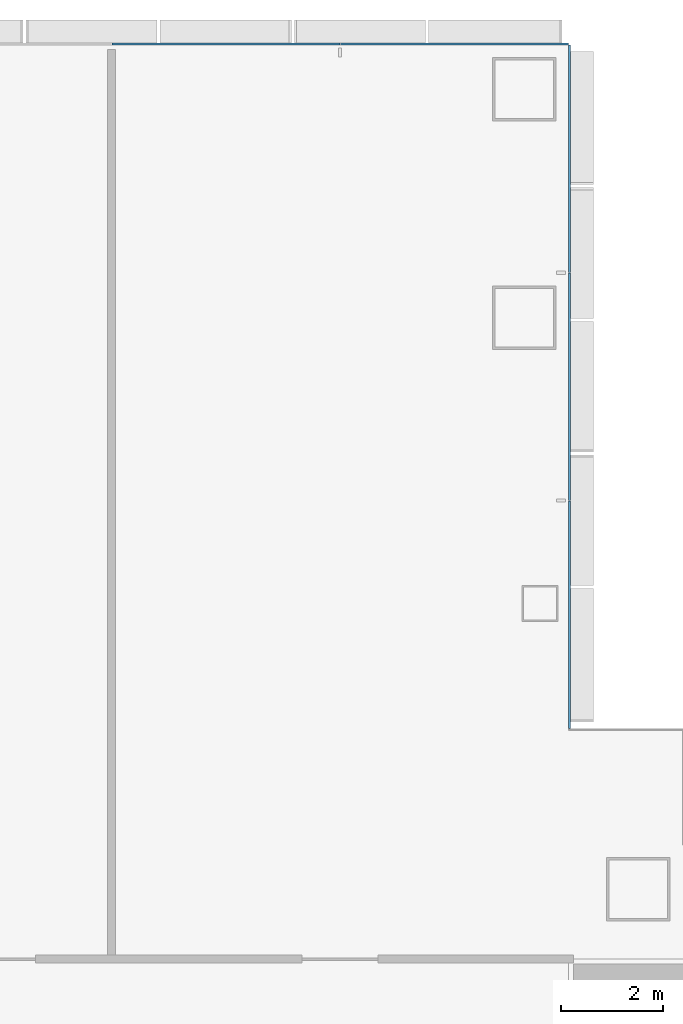
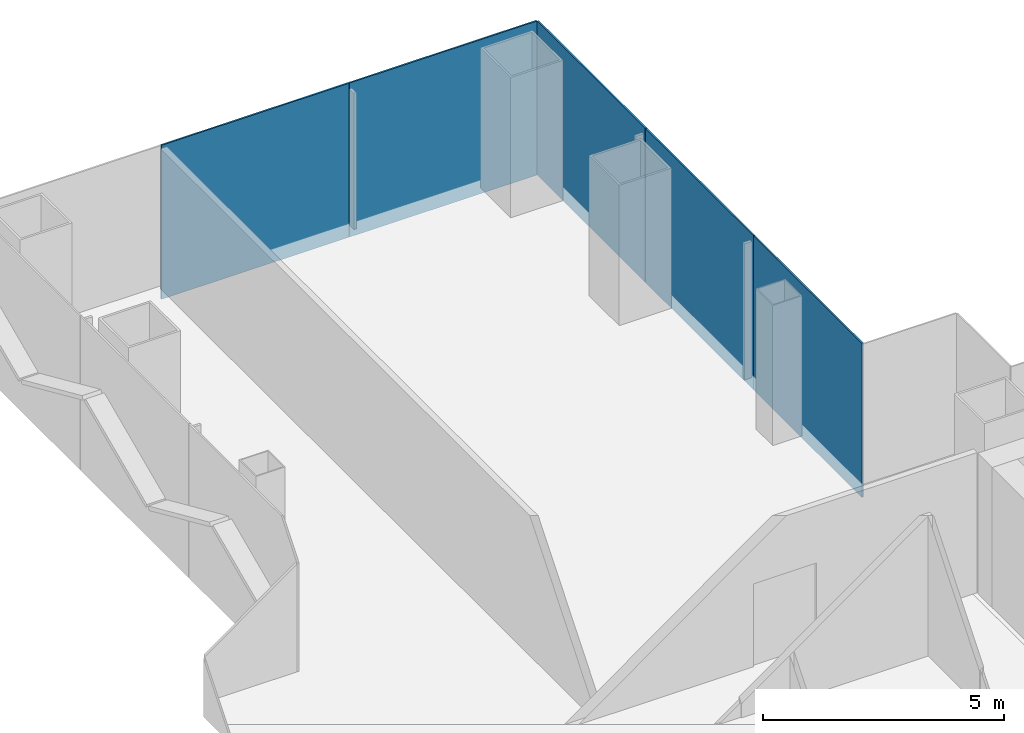
# One storey, part 11 of 20: 5 plates, 2 elements without a shape of their own.
"""IFC4 building model written with IfcOpenShell, lengths in metres."""

from ifc_helpers import new_model, si_unit, direction, frame, origin, origin_2d, place, context, subcontext, project, spatial, rectangle, extrude, material, layer, layer_set, type_object, element, aggregate, save


model = new_model("IFC4")

# Units and contexts
model_context = context("Model", 3, precision=1e-05, world=origin(), true_north=direction((0.0, 1.0)))
body_context = subcontext(model_context, "Body", "Model", "MODEL_VIEW")
ifc_project = project(units=[si_unit("LENGTHUNIT", "METRE"), si_unit("AREAUNIT", "SQUARE_METRE"), si_unit("VOLUMEUNIT", "CUBIC_METRE"), si_unit("PLANEANGLEUNIT", "RADIAN"), si_unit("MASSUNIT", "GRAM", prefix="KILO")], contexts=[model_context])

# Site, building, storey
site_placement = place(None, origin())
site = spatial("IfcSite", under=ifc_project, at=site_placement, CompositionType="ELEMENT")
building_placement = place(site_placement, origin())
building = spatial("IfcBuilding", under=site, at=building_placement, Name="Shamsa Quay Exchange Towers", CompositionType="ELEMENT")
storey_placement = place(building_placement, frame((0.0, 0.0, 105.300048828125)))
storey = spatial("IfcBuildingStorey", under=building, at=storey_placement, Name="L24", CompositionType="ELEMENT", Elevation=105.300048828125)

# Curtain wall, plates
ifc_material_1 = material(Name="Aluminium EN AW-6063 T6, black anodised", Category="aluminium")
ifc_layer_1 = layer(ifc_material_1, 0.280029296875)
ifc_layer_set_1 = layer_set([ifc_layer_1], Name="CW-1 UNITISED VISION GLASS")
curtain_wall_type = type_object("IfcCurtainWallType", Name="CW-1 UNITISED VISION GLASS", PredefinedType="NOTDEFINED", material=ifc_layer_set_1)
curtain_wall_1_placement = place(storey_placement, origin())
curtain_wall_1 = element("IfcCurtainWall", 1, at=curtain_wall_1_placement, inside=storey, type_object=curtain_wall_type, Name="CW1 T2-FLK-U+S L24", PredefinedType="NOTDEFINED")
ifc_material_2 = material(Name="Glass, laminated, dark tinted", Category="glass")
ifc_layer_2 = layer(ifc_material_2, 0.0400390625)
ifc_layer_set_2 = layer_set([ifc_layer_2], Name="CW-1 VISION GLASS 40")
plate_type = type_object("IfcPlateType", Name="CW-1 VISION GLASS 40", PredefinedType="CURTAIN_PANEL", material=ifc_layer_set_2)
plate_1_placement = place(storey_placement, frame((40.52001953125, 13.529052734375, -0.35009765625), z_axis=(0.0, 0.0, 1.0), x_axis=(0.0, 1.0, 0.0)))
plate_1 = element("IfcPlate", 2, at=plate_1_placement, type_object=plate_type, Name="CW1 glass panel", PredefinedType="CURTAIN_PANEL", context=body_context, shape_type="SweptSolid", body=[
    extrude(rectangle(XDim=4.482421875, YDim=0.0400390625, at=origin_2d()), origin(), (0.0, 0.0, 1.0), 3.89990234375),
])
plate_2_placement = place(storey_placement, frame((40.52001953125, 18.01904296875, -0.35009765625), z_axis=(0.0, 0.0, 1.0), x_axis=(0.0, 1.0, 0.0)))
plate_2 = element("IfcPlate", 3, at=plate_2_placement, type_object=plate_type, Name="CW1 glass panel", PredefinedType="CURTAIN_PANEL", context=body_context, shape_type="SweptSolid", body=[
    extrude(rectangle(XDim=4.477294921875, YDim=0.0400390625, at=origin_2d()), origin(), (0.0, 0.0, 1.0), 3.89990234375),
])
plate_3_placement = place(storey_placement, frame((40.52001953125, 22.5087890625, -0.35009765625), z_axis=(0.0, 0.0, 1.0), x_axis=(0.0, 1.0, 0.0)))
plate_3 = element("IfcPlate", 4, at=plate_3_placement, type_object=plate_type, Name="CW1 glass panel", PredefinedType="CURTAIN_PANEL", context=body_context, shape_type="SweptSolid", body=[
    extrude(rectangle(XDim=4.482421875, YDim=0.0400390625, at=origin_2d()), origin(), (0.0, 0.0, 1.0), 3.89990234375),
])
aggregate(curtain_wall_1, [plate_1, plate_2, plate_3])

curtain_wall_2_placement = place(storey_placement, origin())
curtain_wall_2 = element("IfcCurtainWall", 5, at=curtain_wall_2_placement, inside=storey, type_object=curtain_wall_type, Name="CW1 T2-END-U+ L24", PredefinedType="NOTDEFINED")
plate_4_placement = place(storey_placement, frame((38.25244140625, 24.77001953125, -0.35009765625), z_axis=(0.0, 0.0, 1.0), x_axis=(-1.0, 0.0, 0.0)))
plate_4 = element("IfcPlate", 6, at=plate_4_placement, type_object=plate_type, Name="CW1 glass panel", PredefinedType="CURTAIN_PANEL", context=body_context, shape_type="SweptSolid", body=[
    extrude(rectangle(XDim=4.4951171875, YDim=0.0400390625, at=origin_2d()), origin(), (0.0, 0.0, 1.0), 3.89990234375),
])
plate_5_placement = place(storey_placement, frame((33.75, 24.77001953125, -0.35009765625), z_axis=(0.0, 0.0, 1.0), x_axis=(-1.0, 0.0, 0.0)))
plate_5 = element("IfcPlate", 7, at=plate_5_placement, type_object=plate_type, Name="CW1 glass panel", PredefinedType="CURTAIN_PANEL", context=body_context, shape_type="SweptSolid", body=[
    extrude(rectangle(XDim=4.489990234375, YDim=0.0400390625, at=origin_2d()), origin(), (0.0, 0.0, 1.0), 3.89990234375),
])
aggregate(curtain_wall_2, [plate_4, plate_5])

save(model, "model.ifc")
